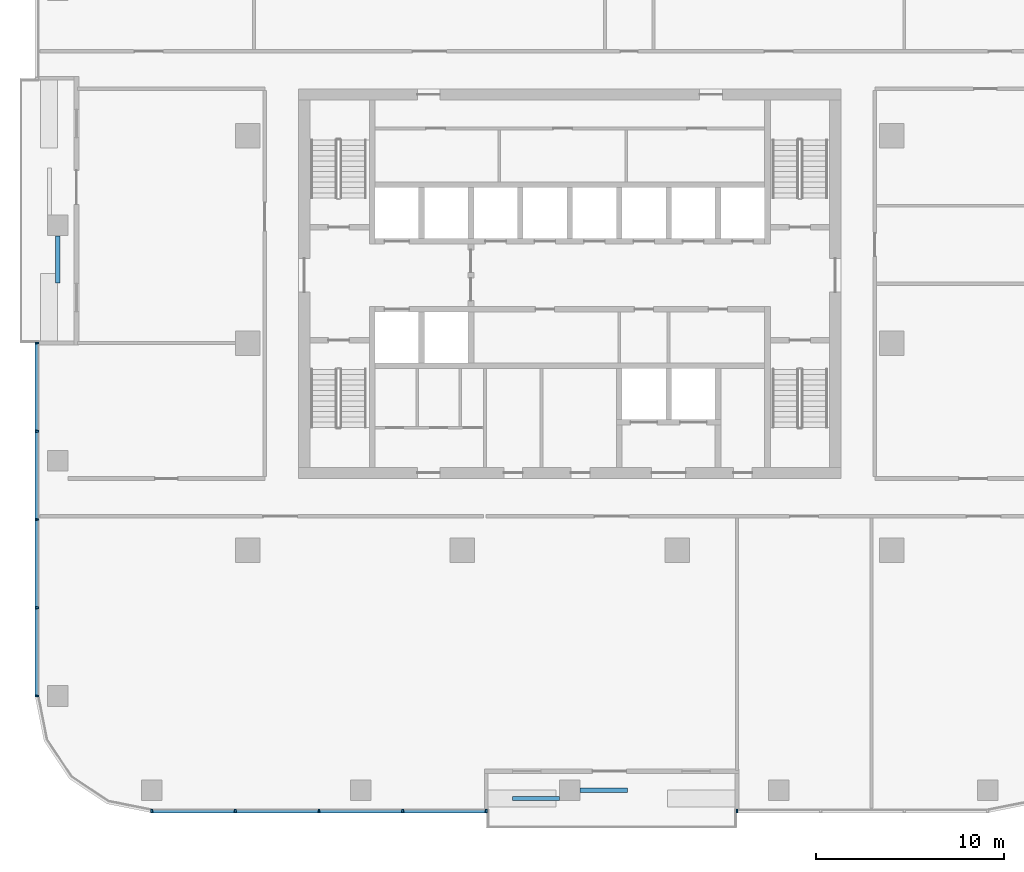
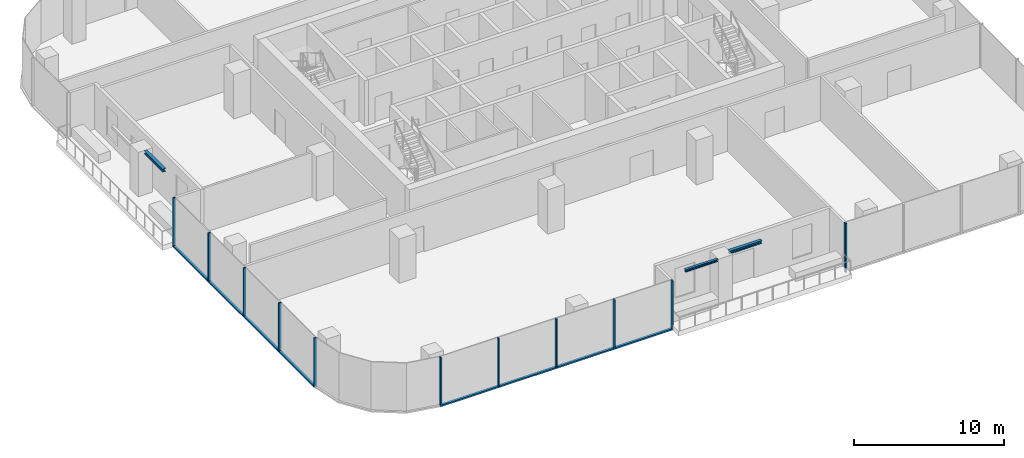
# One storey, part 2 of 14: 19 members, 3 beams, 3 elements without a shape of their own.
"""IFC4 building model written with IfcOpenShell, lengths in metres."""

from ifc_helpers import new_model, si_unit, direction, frame, origin, origin_2d, place, context, subcontext, project, spatial, rectangle, i_section, extrude, material, material_profile, profile_set, type_object, element, aggregate, save


model = new_model("IFC4")

# Units and contexts
model_context = context("Model", 3, precision=1e-05, world=origin(), true_north=direction((0.0, 1.0)))
body_context = subcontext(model_context, "Body", "Model", "MODEL_VIEW")
ifc_project = project(units=[si_unit("LENGTHUNIT", "METRE"), si_unit("AREAUNIT", "SQUARE_METRE"), si_unit("VOLUMEUNIT", "CUBIC_METRE"), si_unit("PLANEANGLEUNIT", "RADIAN"), si_unit("MASSUNIT", "GRAM", prefix="KILO")], contexts=[model_context])

# Site, building, storey
site_placement = place(None, origin())
site = spatial("IfcSite", under=ifc_project, at=site_placement, CompositionType="ELEMENT")
building_placement = place(site_placement, origin())
building = spatial("IfcBuilding", under=site, at=building_placement, Name="Mopane Tessera Tower", CompositionType="ELEMENT")
storey_placement = place(building_placement, frame((0.0, 0.0, 251.0)))
storey = spatial("IfcBuildingStorey", under=building, at=storey_placement, Name="L54", CompositionType="ELEMENT", Elevation=251.0)

# Curtain wall, members
ifc_material_1 = material(Name="Aluminium frame", Category="aluminium")
curtain_wall_type = type_object("IfcCurtainWallType", Name="Unitised curtain wall", PredefinedType="NOTDEFINED", material=ifc_material_1)
curtain_wall_1_placement = place(storey_placement, origin())
curtain_wall_1 = element("IfcCurtainWall", 1, at=curtain_wall_1_placement, inside=storey, type_object=curtain_wall_type, Name="e:cw:L54:S:0", PredefinedType="NOTDEFINED")
ifc_material_2 = material(Name="Aluminium frame", Category="aluminium")
ifc_material_profile_1 = material_profile(ifc_material_2, rectangle(XDim=0.10009765625, YDim=0.199951171875, at=origin_2d()))
ifc_profile_set_1 = profile_set([ifc_material_profile_1], Name="Aluminium frame")
member_type_1 = type_object("IfcMemberType", Name="Aluminium mullion 100 x 200", PredefinedType="MULLION", material=ifc_profile_set_1)
member_1_placement = place(storey_placement, frame((-22.199951171875, -24.85009765625, -0.39990234375), z_axis=(0.0, 0.0, 1.0), x_axis=(1.0, 0.0, 0.0)))
member_1 = element("IfcMember", 2, at=member_1_placement, type_object=member_type_1, Name="e:cw:L54:S:0:mu0", PredefinedType="MULLION", context=body_context, shape_type="SweptSolid", body=[
    extrude(rectangle(XDim=0.10009765625, YDim=0.199951171875, at=origin_2d()), origin(), (0.0, 0.0, 1.0), 4.0),
])
member_2_placement = place(storey_placement, frame((-17.760009765625, -24.85009765625, -0.39990234375), z_axis=(0.0, 0.0, 1.0), x_axis=(1.0, 0.0, 0.0)))
member_2 = element("IfcMember", 3, at=member_2_placement, type_object=member_type_1, Name="e:cw:L54:S:0:mu1", PredefinedType="MULLION", context=body_context, shape_type="SweptSolid", body=[
    extrude(rectangle(XDim=0.10009765625, YDim=0.199951171875, at=origin_2d()), origin(), (0.0, 0.0, 1.0), 4.0),
])
member_3_placement = place(storey_placement, frame((-13.320068359375, -24.85009765625, -0.39990234375), z_axis=(0.0, 0.0, 1.0), x_axis=(1.0, 0.0, 0.0)))
member_3 = element("IfcMember", 4, at=member_3_placement, type_object=member_type_1, Name="e:cw:L54:S:0:mu2", PredefinedType="MULLION", context=body_context, shape_type="SweptSolid", body=[
    extrude(rectangle(XDim=0.10009765625, YDim=0.199951171875, at=origin_2d()), origin(), (0.0, 0.0, 1.0), 4.0),
])
member_4_placement = place(storey_placement, frame((-8.8798828125, -24.85009765625, -0.39990234375), z_axis=(0.0, 0.0, 1.0), x_axis=(1.0, 0.0, 0.0)))
member_4 = element("IfcMember", 5, at=member_4_placement, type_object=member_type_1, Name="e:cw:L54:S:0:mu3", PredefinedType="MULLION", context=body_context, shape_type="SweptSolid", body=[
    extrude(rectangle(XDim=0.10009765625, YDim=0.199951171875, at=origin_2d()), origin(), (0.0, 0.0, 1.0), 4.0),
])
member_5_placement = place(storey_placement, frame((-4.43994140625, -24.85009765625, -0.39990234375), z_axis=(0.0, 0.0, 1.0), x_axis=(1.0, 0.0, 0.0)))
member_5 = element("IfcMember", 6, at=member_5_placement, type_object=member_type_1, Name="e:cw:L54:S:0:mu4", PredefinedType="MULLION", context=body_context, shape_type="SweptSolid", body=[
    extrude(rectangle(XDim=0.10009765625, YDim=0.199951171875, at=origin_2d()), origin(), (0.0, 0.0, 1.0), 4.0),
])

# Curtain wall, member
curtain_wall_2_placement = place(storey_placement, origin())
curtain_wall_2 = element("IfcCurtainWall", 7, at=curtain_wall_2_placement, inside=storey, type_object=curtain_wall_type, Name="e:cw:L54:S:7", PredefinedType="NOTDEFINED")
member_6_placement = place(storey_placement, frame((8.8798828125, -24.85009765625, -0.39990234375), z_axis=(0.0, 0.0, 1.0), x_axis=(1.0, 0.0, 0.0)))
member_6 = element("IfcMember", 8, at=member_6_placement, type_object=member_type_1, Name="e:cw:L54:S:7:mu7", PredefinedType="MULLION", context=body_context, shape_type="SweptSolid", body=[
    extrude(rectangle(XDim=0.10009765625, YDim=0.199951171875, at=origin_2d()), origin(), (0.0, 0.0, 1.0), 4.0),
])
aggregate(curtain_wall_2, [member_6])

# Curtain wall, members
curtain_wall_3_placement = place(storey_placement, origin())
curtain_wall_3 = element("IfcCurtainWall", 9, at=curtain_wall_3_placement, inside=storey, type_object=curtain_wall_type, Name="e:cw:L54:W:4", PredefinedType="NOTDEFINED")
member_7_placement = place(storey_placement, frame((-28.300048828125, 0.0, -0.39990234375), z_axis=(0.0, 0.0, 1.0), x_axis=(0.0, -1.0, 0.0)))
member_7 = element("IfcMember", 10, at=member_7_placement, type_object=member_type_1, Name="e:cw:L54:W:4:mu4", PredefinedType="MULLION", context=body_context, shape_type="SweptSolid", body=[
    extrude(rectangle(XDim=0.10009765625, YDim=0.199951171875, at=origin_2d()), origin(), (0.0, 0.0, 1.0), 4.0),
])
member_8_placement = place(storey_placement, frame((-28.300048828125, -4.6875, -0.39990234375), z_axis=(0.0, 0.0, 1.0), x_axis=(0.0, -1.0, 0.0)))
member_8 = element("IfcMember", 11, at=member_8_placement, type_object=member_type_1, Name="e:cw:L54:W:4:mu5", PredefinedType="MULLION", context=body_context, shape_type="SweptSolid", body=[
    extrude(rectangle(XDim=0.10009765625, YDim=0.199951171875, at=origin_2d()), origin(), (0.0, 0.0, 1.0), 4.0),
])
member_9_placement = place(storey_placement, frame((-28.300048828125, -9.375, -0.39990234375), z_axis=(0.0, 0.0, 1.0), x_axis=(0.0, -1.0, 0.0)))
member_9 = element("IfcMember", 12, at=member_9_placement, type_object=member_type_1, Name="e:cw:L54:W:4:mu6", PredefinedType="MULLION", context=body_context, shape_type="SweptSolid", body=[
    extrude(rectangle(XDim=0.10009765625, YDim=0.199951171875, at=origin_2d()), origin(), (0.0, 0.0, 1.0), 4.0),
])
member_10_placement = place(storey_placement, frame((-28.300048828125, -14.0625, -0.39990234375), z_axis=(0.0, 0.0, 1.0), x_axis=(0.0, -1.0, 0.0)))
member_10 = element("IfcMember", 13, at=member_10_placement, type_object=member_type_1, Name="e:cw:L54:W:4:mu7", PredefinedType="MULLION", context=body_context, shape_type="SweptSolid", body=[
    extrude(rectangle(XDim=0.10009765625, YDim=0.199951171875, at=origin_2d()), origin(), (0.0, 0.0, 1.0), 4.0),
])
member_11_placement = place(storey_placement, frame((-28.300048828125, -18.75, -0.39990234375), z_axis=(0.0, 0.0, 1.0), x_axis=(0.0, -1.0, 0.0)))
member_11 = element("IfcMember", 14, at=member_11_placement, type_object=member_type_1, Name="e:cw:L54:W:4:mu8", PredefinedType="MULLION", context=body_context, shape_type="SweptSolid", body=[
    extrude(rectangle(XDim=0.10009765625, YDim=0.199951171875, at=origin_2d()), origin(), (0.0, 0.0, 1.0), 4.0),
])

# Member
ifc_material_3 = material(Name="Aluminium frame", Category="aluminium")
ifc_material_profile_2 = material_profile(ifc_material_3, rectangle(XDim=0.199951171875, YDim=0.1201171875, at=origin_2d()))
ifc_profile_set_2 = profile_set([ifc_material_profile_2], Name="Aluminium frame")
member_type_2 = type_object("IfcMemberType", Name="Aluminium transom 200 x 120", PredefinedType="USERDEFINED", material=ifc_profile_set_2)
member_12_placement = place(storey_placement, frame((-22.14990234375, -24.85009765625, -0.340087890625), z_axis=(1.0, 0.0, 0.0), x_axis=(0.0, 1.0, 0.0)))
member_12 = element("IfcMember", 15, at=member_12_placement, type_object=member_type_2, Name="e:cw:L54:S:0:tr0", ObjectType="TRANSOM", PredefinedType="USERDEFINED", context=body_context, shape_type="SweptSolid", body=[
    extrude(rectangle(XDim=0.199951171875, YDim=0.1201171875, at=origin_2d()), origin(), (0.0, 0.0, 1.0), 4.33984375),
])

member_13_placement = place(storey_placement, frame((-17.7099609375, -24.85009765625, -0.340087890625), z_axis=(1.0, 0.0, 0.0), x_axis=(0.0, 1.0, 0.0)))
member_13 = element("IfcMember", 16, at=member_13_placement, type_object=member_type_2, Name="e:cw:L54:S:0:tr1", ObjectType="TRANSOM", PredefinedType="USERDEFINED", context=body_context, shape_type="SweptSolid", body=[
    extrude(rectangle(XDim=0.199951171875, YDim=0.1201171875, at=origin_2d()), origin(), (0.0, 0.0, 1.0), 4.33984375),
])

member_14_placement = place(storey_placement, frame((-13.27001953125, -24.85009765625, -0.340087890625), z_axis=(1.0, 0.0, 0.0), x_axis=(0.0, 1.0, 0.0)))
member_14 = element("IfcMember", 17, at=member_14_placement, type_object=member_type_2, Name="e:cw:L54:S:0:tr2", ObjectType="TRANSOM", PredefinedType="USERDEFINED", context=body_context, shape_type="SweptSolid", body=[
    extrude(rectangle(XDim=0.199951171875, YDim=0.1201171875, at=origin_2d()), origin(), (0.0, 0.0, 1.0), 4.340087890625),
])

member_15_placement = place(storey_placement, frame((-8.830078125, -24.85009765625, -0.340087890625), z_axis=(1.0, 0.0, 0.0), x_axis=(0.0, 1.0, 0.0)))
member_15 = element("IfcMember", 18, at=member_15_placement, type_object=member_type_2, Name="e:cw:L54:S:0:tr3", ObjectType="TRANSOM", PredefinedType="USERDEFINED", context=body_context, shape_type="SweptSolid", body=[
    extrude(rectangle(XDim=0.199951171875, YDim=0.1201171875, at=origin_2d()), origin(), (0.0, 0.0, 1.0), 4.340087890625),
])

aggregate(curtain_wall_1, [member_1, member_2, member_3, member_4, member_5, member_12, member_13, member_14, member_15])

member_16_placement = place(storey_placement, frame((-28.300048828125, -0.050048828125, -0.340087890625), z_axis=(0.0, -1.0, 0.0), x_axis=(1.0, 0.0, 0.0)))
member_16 = element("IfcMember", 19, at=member_16_placement, type_object=member_type_2, Name="e:cw:L54:W:4:tr4", ObjectType="TRANSOM", PredefinedType="USERDEFINED", context=body_context, shape_type="SweptSolid", body=[
    extrude(rectangle(XDim=0.199951171875, YDim=0.1201171875, at=origin_2d()), origin(), (0.0, 0.0, 1.0), 4.58740234375),
])

member_17_placement = place(storey_placement, frame((-28.300048828125, -4.737548828125, -0.340087890625), z_axis=(0.0, -1.0, 0.0), x_axis=(1.0, 0.0, 0.0)))
member_17 = element("IfcMember", 20, at=member_17_placement, type_object=member_type_2, Name="e:cw:L54:W:4:tr5", ObjectType="TRANSOM", PredefinedType="USERDEFINED", context=body_context, shape_type="SweptSolid", body=[
    extrude(rectangle(XDim=0.199951171875, YDim=0.1201171875, at=origin_2d()), origin(), (0.0, 0.0, 1.0), 4.58740234375),
])

member_18_placement = place(storey_placement, frame((-28.300048828125, -9.425048828125, -0.340087890625), z_axis=(0.0, -1.0, 0.0), x_axis=(1.0, 0.0, 0.0)))
member_18 = element("IfcMember", 21, at=member_18_placement, type_object=member_type_2, Name="e:cw:L54:W:4:tr6", ObjectType="TRANSOM", PredefinedType="USERDEFINED", context=body_context, shape_type="SweptSolid", body=[
    extrude(rectangle(XDim=0.199951171875, YDim=0.1201171875, at=origin_2d()), origin(), (0.0, 0.0, 1.0), 4.58740234375),
])

member_19_placement = place(storey_placement, frame((-28.300048828125, -14.112548828125, -0.340087890625), z_axis=(0.0, -1.0, 0.0), x_axis=(1.0, 0.0, 0.0)))
member_19 = element("IfcMember", 22, at=member_19_placement, type_object=member_type_2, Name="e:cw:L54:W:4:tr7", ObjectType="TRANSOM", PredefinedType="USERDEFINED", context=body_context, shape_type="SweptSolid", body=[
    extrude(rectangle(XDim=0.199951171875, YDim=0.1201171875, at=origin_2d()), origin(), (0.0, 0.0, 1.0), 4.58740234375),
])

aggregate(curtain_wall_3, [member_7, member_8, member_9, member_10, member_11, member_16, member_17, member_18, member_19])

# Beams
ifc_material_4 = material(Name="Structural steel S460", Category="steel")
ifc_material_profile_3 = material_profile(ifc_material_4, i_section(OverallWidth=0.239990234375, OverallDepth=0.239990234375, WebThickness=0.010009765625, FlangeThickness=0.01708984375, FilletRadius=0.02099609375, at=origin_2d()))
ifc_profile_set_3 = profile_set([ifc_material_profile_3], Name="Structural steel S460")
beam_type_1 = type_object("IfcBeamType", Name="Terrace spandrel beam HE 240 B", PredefinedType="SPANDREL", material=ifc_profile_set_3)
for number, where, z_axis, x_axis, name in (
    (23, (0.552978515625, -23.75, 3.47998046875), (1.0, 0.0, 0.0), (0.0, 1.0, 0.0), "Terrace spandrel beam N1 L55"),
    (24, (-27.199951171875, 5.697021484375, 3.47998046875), (0.0, -1.0, 0.0), (1.0, 0.0, 0.0), "Terrace spandrel beam N3 L55"),
):
    element("IfcBeam", number, at=place(storey_placement, frame(where, z_axis=z_axis, x_axis=x_axis)), inside=storey, type_object=beam_type_1, Name=name, PredefinedType="SPANDREL", context=body_context, shape_type="SweptSolid", body=[
        extrude(i_section(OverallWidth=0.239990234375, OverallDepth=0.239990234375, WebThickness=0.010009765625, FlangeThickness=0.01708984375, FilletRadius=0.02099609375, at=origin_2d()), origin(), (0.0, 0.0, 1.0), 2.5),
    ])
ifc_material_5 = material(Name="Structural steel S460", Category="steel")
ifc_material_profile_4 = material_profile(ifc_material_5, i_section(OverallWidth=0.199951171875, OverallDepth=0.199951171875, WebThickness=0.009033203125, FlangeThickness=0.014892578125, FilletRadius=0.01806640625, at=origin_2d()))
ifc_profile_set_4 = profile_set([ifc_material_profile_4], Name="Structural steel S460")
beam_type_2 = type_object("IfcBeamType", Name="Terrace trimmer beam HE 200 B", PredefinedType="BEAM", material=ifc_profile_set_4)
beam_placement = place(storey_placement, frame((-0.552978515625, -24.18994140625, 3.5), z_axis=(-1.0, 0.0, 0.0), x_axis=(0.0, -1.0, 0.0)))
element("IfcBeam", 25, at=beam_placement, inside=storey, type_object=beam_type_2, Name="Terrace trimmer beam N1 L55", PredefinedType="BEAM", context=body_context, shape_type="SweptSolid", body=[
    extrude(i_section(OverallWidth=0.199951171875, OverallDepth=0.199951171875, WebThickness=0.009033203125, FlangeThickness=0.014892578125, FilletRadius=0.01806640625, at=origin_2d()), origin(), (0.0, 0.0, 1.0), 2.5),
])

save(model, "model.ifc")
